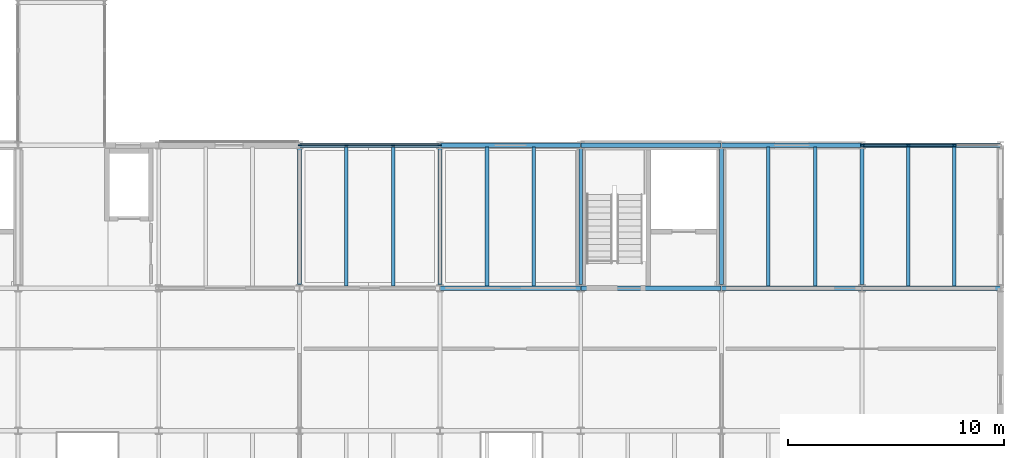
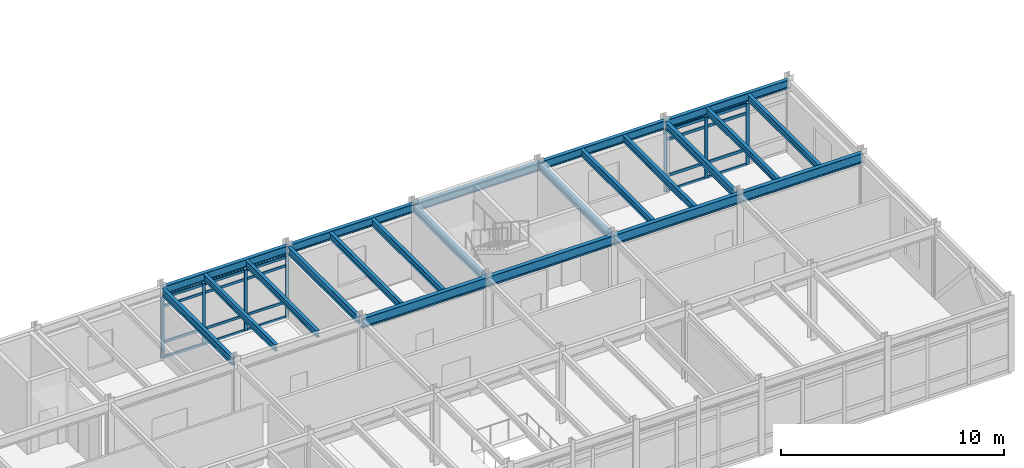
# One storey, part 82 of 144: 27 members, 22 beams, 2 elements without a shape of their own.
"""IFC4 building model written with IfcOpenShell, lengths in metres."""

from ifc_helpers import new_model, si_unit, direction, frame, origin, origin_2d, place, context, subcontext, project, spatial, rectangle, i_section, extrude, material, layer, layer_set, material_profile, profile_set, type_object, element, aggregate, save


model = new_model("IFC4")

# Units and contexts
model_context = context("Model", 3, precision=1e-05, world=origin(), true_north=direction((0.0, 1.0)))
body_context = subcontext(model_context, "Body", "Model", "MODEL_VIEW")
ifc_project = project(units=[si_unit("LENGTHUNIT", "METRE"), si_unit("AREAUNIT", "SQUARE_METRE"), si_unit("VOLUMEUNIT", "CUBIC_METRE"), si_unit("PLANEANGLEUNIT", "RADIAN"), si_unit("MASSUNIT", "GRAM", prefix="KILO")], contexts=[model_context])

# Site, building, storey
site_placement = place(None, origin())
site = spatial("IfcSite", under=ifc_project, at=site_placement, CompositionType="ELEMENT")
building_placement = place(site_placement, origin())
building = spatial("IfcBuilding", under=site, at=building_placement, Name="Trelmorton Wharf Fire Station", CompositionType="ELEMENT")
storey_placement = place(building_placement, frame((0.0, 0.0, 5.39990234375)))
storey = spatial("IfcBuildingStorey", under=building, at=storey_placement, Name="L01", CompositionType="ELEMENT", Elevation=5.39990234375)

# Beams
ifc_material_1 = material(Name="Steel Grade 350", Category="steel")
ifc_material_profile_1 = material_profile(ifc_material_1, i_section(OverallWidth=0.177978515625, OverallDepth=0.406005859375, WebThickness=0.0078125, FlangeThickness=0.0126953125, FilletRadius=0.011474609375, at=origin_2d()), Name="410UB59.7")
ifc_profile_set_1 = profile_set([ifc_material_profile_1], Name="Steel Grade 350")
beam_type_1 = type_object("IfcBeamType", Name="BM_410UB60", PredefinedType="BEAM", material=ifc_profile_set_1)
for number, where, z_axis, x_axis, name in (
    (1, (130.0, 21.159423828125, 3.72705078125), (0.0, 1.0, 0.0), (-1.0, 0.0, 0.0), "BM-L01-0648"),
    (2, (136.5, 21.159423828125, 3.72705078125), (0.0, 1.0, 0.0), (-1.0, 0.0, 0.0), "BM-L01-0654"),
    (3, (143.0, 21.159423828125, 3.72705078125), (0.0, 1.0, 0.0), (-1.0, 0.0, 0.0), "BM-L01-0660"),
    (4, (149.5, 21.159423828125, 3.72705078125), (0.0, 1.0, 0.0), (-1.0, 0.0, 0.0), "BM-L01-0666"),
    (5, (156.0, 21.159423828125, 3.72705078125), (0.0, 1.0, 0.0), (-1.0, 0.0, 0.0), "BM-L01-0672"),
):
    element("IfcBeam", number, at=place(storey_placement, frame(where, z_axis=z_axis, x_axis=x_axis)), inside=storey, type_object=beam_type_1, Name=name, PredefinedType="BEAM", context=body_context, shape_type="SweptSolid", body=[
        extrude(i_section(OverallWidth=0.177978515625, OverallDepth=0.406005859375, WebThickness=0.0078125, FlangeThickness=0.0126953125, FilletRadius=0.011474609375, at=origin_2d()), origin(), (0.0, 0.0, 1.0), 6.281005859375),
    ])
ifc_material_profile_2 = material_profile(ifc_material_1, i_section(OverallWidth=0.208984375, OverallDepth=0.528076171875, WebThickness=0.009521484375, FlangeThickness=0.01318359375, FilletRadius=0.013916015625, at=origin_2d()), Name="530UB82.0")
ifc_profile_set_2 = profile_set([ifc_material_profile_2], Name="Steel Grade 350")
beam_type_2 = type_object("IfcBeamType", Name="BM_530UB82", PredefinedType="BEAM", material=ifc_profile_set_2)
for number, where, z_axis, x_axis, name in (
    (6, (136.505859375, 21.0, 3.666015625), (1.0, 0.0, 0.0), (0.0, 1.0, 0.0), "BM-L01-0448"),
    (7, (143.005859375, 21.0, 3.666015625), (1.0, 0.0, 0.0), (0.0, 1.0, 0.0), "BM-L01-0449"),
    (8, (149.505859375, 21.0, 3.666015625), (1.0, 0.0, 0.0), (0.0, 1.0, 0.0), "BM-L01-0450"),
):
    element("IfcBeam", number, at=place(storey_placement, frame(where, z_axis=z_axis, x_axis=x_axis)), inside=storey, type_object=beam_type_2, Name=name, PredefinedType="BEAM", context=body_context, shape_type="SweptSolid", body=[
        extrude(i_section(OverallWidth=0.208984375, OverallDepth=0.528076171875, WebThickness=0.009521484375, FlangeThickness=0.01318359375, FilletRadius=0.013916015625, at=origin_2d()), origin(), (0.0, 0.0, 1.0), 6.48828125),
    ])
beam_1_placement = place(storey_placement, frame((156.005859375, 21.0, 3.666015625), z_axis=(1.0, 0.0, 0.0), x_axis=(0.0, 1.0, 0.0)))
element("IfcBeam", 9, at=beam_1_placement, inside=storey, type_object=beam_type_2, Name="BM-L01-0451", PredefinedType="BEAM", context=body_context, shape_type="SweptSolid", body=[
    extrude(i_section(OverallWidth=0.208984375, OverallDepth=0.528076171875, WebThickness=0.009521484375, FlangeThickness=0.01318359375, FilletRadius=0.013916015625, at=origin_2d()), origin(), (0.0, 0.0, 1.0), 6.38818359375),
])

# Curtain wall, members
ifc_material_2 = material(Name="Anodised aluminium AW-6063", Category="aluminium")
ifc_layer = layer(ifc_material_2, 0.14990234375)
ifc_layer_set = layer_set([ifc_layer], Name="Anodised aluminium AW-6063")
curtain_wall_type = type_object("IfcCurtainWallType", Name="CW_UNIT_A", PredefinedType="USERDEFINED", material=ifc_layer_set)
curtain_wall_1_placement = place(storey_placement, origin())
curtain_wall_1 = element("IfcCurtainWall", 10, at=curtain_wall_1_placement, inside=storey, type_object=curtain_wall_type, Name="CW-V5-L01-047", ObjectType="UNITISED CURTAIN WALL", PredefinedType="USERDEFINED")
ifc_material_profile_3 = material_profile(ifc_material_2, rectangle(XDim=0.06494140625, YDim=0.159912109375, at=origin_2d()), Name="ALU-65x160")
ifc_profile_set_3 = profile_set([ifc_material_profile_3], Name="Anodised aluminium AW-6063")
member_type_1 = type_object("IfcMemberType", Name="CWM_65x160", PredefinedType="MULLION", material=ifc_profile_set_3)
member_1_placement = place(storey_placement, frame((130.034912109375, 27.60009765625, 0.0), z_axis=(0.0, 0.0, 1.0), x_axis=(0.0, 1.0, 0.0)))
member_1 = element("IfcMember", 11, at=member_1_placement, type_object=member_type_1, Name="CW3 mullion 1", PredefinedType="MULLION", context=body_context, shape_type="SweptSolid", body=[
    extrude(rectangle(XDim=0.06494140625, YDim=0.159912109375, at=origin_2d()), origin(), (0.0, 0.0, 1.0), 3.320068359375),
])
member_2_placement = place(storey_placement, frame((132.168212890625, 27.60009765625, 0.0), z_axis=(0.0, 0.0, 1.0), x_axis=(0.0, 1.0, 0.0)))
member_2 = element("IfcMember", 12, at=member_2_placement, type_object=member_type_1, Name="CW3 mullion 2", PredefinedType="MULLION", context=body_context, shape_type="SweptSolid", body=[
    extrude(rectangle(XDim=0.06494140625, YDim=0.159912109375, at=origin_2d()), origin(), (0.0, 0.0, 1.0), 3.320068359375),
])
member_3_placement = place(storey_placement, frame((134.331787109375, 27.60009765625, 0.0), z_axis=(0.0, 0.0, 1.0), x_axis=(0.0, 1.0, 0.0)))
member_3 = element("IfcMember", 13, at=member_3_placement, type_object=member_type_1, Name="CW3 mullion 3", PredefinedType="MULLION", context=body_context, shape_type="SweptSolid", body=[
    extrude(rectangle(XDim=0.06494140625, YDim=0.159912109375, at=origin_2d()), origin(), (0.0, 0.0, 1.0), 3.320068359375),
])
member_4_placement = place(storey_placement, frame((136.465087890625, 27.60009765625, 0.0), z_axis=(0.0, 0.0, 1.0), x_axis=(0.0, 1.0, 0.0)))
member_4 = element("IfcMember", 14, at=member_4_placement, type_object=member_type_1, Name="CW3 mullion 4", PredefinedType="MULLION", context=body_context, shape_type="SweptSolid", body=[
    extrude(rectangle(XDim=0.06494140625, YDim=0.159912109375, at=origin_2d()), origin(), (0.0, 0.0, 1.0), 3.320068359375),
])

curtain_wall_2_placement = place(storey_placement, origin())
curtain_wall_2 = element("IfcCurtainWall", 15, at=curtain_wall_2_placement, inside=storey, type_object=curtain_wall_type, Name="CW-V5-L01-048", ObjectType="UNITISED CURTAIN WALL", PredefinedType="USERDEFINED")
ifc_material_profile_4 = material_profile(ifc_material_2, rectangle(XDim=0.074951171875, YDim=0.175048828125, at=origin_2d()), Name="ALU-75x175")
ifc_profile_set_4 = profile_set([ifc_material_profile_4], Name="Anodised aluminium AW-6063")
member_type_2 = type_object("IfcMemberType", Name="CWM_75x175", PredefinedType="MULLION", material=ifc_profile_set_4)
member_5_placement = place(storey_placement, frame((156.034912109375, 27.60009765625, 0.0), z_axis=(0.0, 0.0, 1.0), x_axis=(0.0, 1.0, 0.0)))
member_5 = element("IfcMember", 16, at=member_5_placement, type_object=member_type_2, Name="CW3 mullion 1", PredefinedType="MULLION", context=body_context, shape_type="SweptSolid", body=[
    extrude(rectangle(XDim=0.074951171875, YDim=0.175048828125, at=origin_2d()), origin(), (0.0, 0.0, 1.0), 3.320068359375),
])
member_6_placement = place(storey_placement, frame((158.135009765625, 27.60009765625, 0.0), z_axis=(0.0, 0.0, 1.0), x_axis=(0.0, 1.0, 0.0)))
member_6 = element("IfcMember", 17, at=member_6_placement, type_object=member_type_2, Name="CW3 mullion 2", PredefinedType="MULLION", context=body_context, shape_type="SweptSolid", body=[
    extrude(rectangle(XDim=0.074951171875, YDim=0.175048828125, at=origin_2d()), origin(), (0.0, 0.0, 1.0), 3.320068359375),
])
member_7_placement = place(storey_placement, frame((160.264892578125, 27.60009765625, 0.0), z_axis=(0.0, 0.0, 1.0), x_axis=(0.0, 1.0, 0.0)))
member_7 = element("IfcMember", 18, at=member_7_placement, type_object=member_type_2, Name="CW3 mullion 3", PredefinedType="MULLION", context=body_context, shape_type="SweptSolid", body=[
    extrude(rectangle(XDim=0.074951171875, YDim=0.175048828125, at=origin_2d()), origin(), (0.0, 0.0, 1.0), 3.320068359375),
])

# Member
ifc_material_profile_5 = material_profile(ifc_material_2, rectangle(XDim=0.06494140625, YDim=0.139892578125, at=origin_2d()), Name="ALU-65x140")
ifc_profile_set_5 = profile_set([ifc_material_profile_5], Name="Anodised aluminium AW-6063")
member_type_3 = type_object("IfcMemberType", Name="CWT_65x140", PredefinedType="USERDEFINED", material=ifc_profile_set_5)
member_8_placement = place(storey_placement, frame((130.06494140625, 27.60009765625, 0.030029296875), z_axis=(1.0, 0.0, 0.0), x_axis=(0.0, 1.0, 0.0)))
member_8 = element("IfcMember", 19, at=member_8_placement, type_object=member_type_3, Name="CW3 transom 1.1", ObjectType="TRANSOM", PredefinedType="USERDEFINED", context=body_context, shape_type="SweptSolid", body=[
    extrude(rectangle(XDim=0.06494140625, YDim=0.139892578125, at=origin_2d()), origin(), (0.0, 0.0, 1.0), 2.073486328125),
])

member_9_placement = place(storey_placement, frame((130.06494140625, 27.60009765625, 0.85009765625), z_axis=(1.0, 0.0, 0.0), x_axis=(0.0, 1.0, 0.0)))
member_9 = element("IfcMember", 20, at=member_9_placement, type_object=member_type_3, Name="CW3 transom 1.2", ObjectType="TRANSOM", PredefinedType="USERDEFINED", context=body_context, shape_type="SweptSolid", body=[
    extrude(rectangle(XDim=0.06494140625, YDim=0.139892578125, at=origin_2d()), origin(), (0.0, 0.0, 1.0), 2.073486328125),
])

member_10_placement = place(storey_placement, frame((130.06494140625, 27.60009765625, 2.820068359375), z_axis=(1.0, 0.0, 0.0), x_axis=(0.0, 1.0, 0.0)))
member_10 = element("IfcMember", 21, at=member_10_placement, type_object=member_type_3, Name="CW3 transom 1.3", ObjectType="TRANSOM", PredefinedType="USERDEFINED", context=body_context, shape_type="SweptSolid", body=[
    extrude(rectangle(XDim=0.06494140625, YDim=0.139892578125, at=origin_2d()), origin(), (0.0, 0.0, 1.0), 2.073486328125),
])

member_11_placement = place(storey_placement, frame((130.06494140625, 27.60009765625, 3.2900390625), z_axis=(1.0, 0.0, 0.0), x_axis=(0.0, 1.0, 0.0)))
member_11 = element("IfcMember", 22, at=member_11_placement, type_object=member_type_3, Name="CW3 transom 1.4", ObjectType="TRANSOM", PredefinedType="USERDEFINED", context=body_context, shape_type="SweptSolid", body=[
    extrude(rectangle(XDim=0.06494140625, YDim=0.139892578125, at=origin_2d()), origin(), (0.0, 0.0, 1.0), 2.073486328125),
])

member_12_placement = place(storey_placement, frame((132.1982421875, 27.60009765625, 0.030029296875), z_axis=(1.0, 0.0, 0.0), x_axis=(0.0, 1.0, 0.0)))
member_12 = element("IfcMember", 23, at=member_12_placement, type_object=member_type_3, Name="CW3 transom 2.1", ObjectType="TRANSOM", PredefinedType="USERDEFINED", context=body_context, shape_type="SweptSolid", body=[
    extrude(rectangle(XDim=0.06494140625, YDim=0.139892578125, at=origin_2d()), origin(), (0.0, 0.0, 1.0), 2.103515625),
])

member_13_placement = place(storey_placement, frame((132.1982421875, 27.60009765625, 0.85009765625), z_axis=(1.0, 0.0, 0.0), x_axis=(0.0, 1.0, 0.0)))
member_13 = element("IfcMember", 24, at=member_13_placement, type_object=member_type_3, Name="CW3 transom 2.2", ObjectType="TRANSOM", PredefinedType="USERDEFINED", context=body_context, shape_type="SweptSolid", body=[
    extrude(rectangle(XDim=0.06494140625, YDim=0.139892578125, at=origin_2d()), origin(), (0.0, 0.0, 1.0), 2.103515625),
])

member_14_placement = place(storey_placement, frame((132.1982421875, 27.60009765625, 2.820068359375), z_axis=(1.0, 0.0, 0.0), x_axis=(0.0, 1.0, 0.0)))
member_14 = element("IfcMember", 25, at=member_14_placement, type_object=member_type_3, Name="CW3 transom 2.3", ObjectType="TRANSOM", PredefinedType="USERDEFINED", context=body_context, shape_type="SweptSolid", body=[
    extrude(rectangle(XDim=0.06494140625, YDim=0.139892578125, at=origin_2d()), origin(), (0.0, 0.0, 1.0), 2.103515625),
])

member_15_placement = place(storey_placement, frame((132.1982421875, 27.60009765625, 3.2900390625), z_axis=(1.0, 0.0, 0.0), x_axis=(0.0, 1.0, 0.0)))
member_15 = element("IfcMember", 26, at=member_15_placement, type_object=member_type_3, Name="CW3 transom 2.4", ObjectType="TRANSOM", PredefinedType="USERDEFINED", context=body_context, shape_type="SweptSolid", body=[
    extrude(rectangle(XDim=0.06494140625, YDim=0.139892578125, at=origin_2d()), origin(), (0.0, 0.0, 1.0), 2.103515625),
])

member_16_placement = place(storey_placement, frame((134.361572265625, 27.60009765625, 0.030029296875), z_axis=(1.0, 0.0, 0.0), x_axis=(0.0, 1.0, 0.0)))
member_16 = element("IfcMember", 27, at=member_16_placement, type_object=member_type_3, Name="CW3 transom 3.1", ObjectType="TRANSOM", PredefinedType="USERDEFINED", context=body_context, shape_type="SweptSolid", body=[
    extrude(rectangle(XDim=0.06494140625, YDim=0.139892578125, at=origin_2d()), origin(), (0.0, 0.0, 1.0), 2.073486328125),
])

member_17_placement = place(storey_placement, frame((134.361572265625, 27.60009765625, 0.85009765625), z_axis=(1.0, 0.0, 0.0), x_axis=(0.0, 1.0, 0.0)))
member_17 = element("IfcMember", 28, at=member_17_placement, type_object=member_type_3, Name="CW3 transom 3.2", ObjectType="TRANSOM", PredefinedType="USERDEFINED", context=body_context, shape_type="SweptSolid", body=[
    extrude(rectangle(XDim=0.06494140625, YDim=0.139892578125, at=origin_2d()), origin(), (0.0, 0.0, 1.0), 2.073486328125),
])

member_18_placement = place(storey_placement, frame((134.361572265625, 27.60009765625, 2.820068359375), z_axis=(1.0, 0.0, 0.0), x_axis=(0.0, 1.0, 0.0)))
member_18 = element("IfcMember", 29, at=member_18_placement, type_object=member_type_3, Name="CW3 transom 3.3", ObjectType="TRANSOM", PredefinedType="USERDEFINED", context=body_context, shape_type="SweptSolid", body=[
    extrude(rectangle(XDim=0.06494140625, YDim=0.139892578125, at=origin_2d()), origin(), (0.0, 0.0, 1.0), 2.073486328125),
])

member_19_placement = place(storey_placement, frame((134.361572265625, 27.60009765625, 3.2900390625), z_axis=(1.0, 0.0, 0.0), x_axis=(0.0, 1.0, 0.0)))
member_19 = element("IfcMember", 30, at=member_19_placement, type_object=member_type_3, Name="CW3 transom 3.4", ObjectType="TRANSOM", PredefinedType="USERDEFINED", context=body_context, shape_type="SweptSolid", body=[
    extrude(rectangle(XDim=0.06494140625, YDim=0.139892578125, at=origin_2d()), origin(), (0.0, 0.0, 1.0), 2.073486328125),
])

aggregate(curtain_wall_1, [member_1, member_2, member_3, member_4, member_8, member_9, member_10, member_11, member_12, member_13, member_14, member_15, member_16, member_17, member_18, member_19])

ifc_material_profile_6 = material_profile(ifc_material_2, rectangle(XDim=0.074951171875, YDim=0.155029296875, at=origin_2d()), Name="ALU-75x155")
ifc_profile_set_6 = profile_set([ifc_material_profile_6], Name="Anodised aluminium AW-6063")
member_type_4 = type_object("IfcMemberType", Name="CWT_75x155", PredefinedType="USERDEFINED", material=ifc_profile_set_6)
member_20_placement = place(storey_placement, frame((156.06494140625, 27.60009765625, 0.030029296875), z_axis=(1.0, 0.0, 0.0), x_axis=(0.0, 1.0, 0.0)))
member_20 = element("IfcMember", 31, at=member_20_placement, type_object=member_type_4, Name="CW3 transom 1.1", ObjectType="TRANSOM", PredefinedType="USERDEFINED", context=body_context, shape_type="SweptSolid", body=[
    extrude(rectangle(XDim=0.074951171875, YDim=0.155029296875, at=origin_2d()), origin(), (0.0, 0.0, 1.0), 2.0400390625),
])

member_21_placement = place(storey_placement, frame((156.06494140625, 27.60009765625, 0.85009765625), z_axis=(1.0, 0.0, 0.0), x_axis=(0.0, 1.0, 0.0)))
member_21 = element("IfcMember", 32, at=member_21_placement, type_object=member_type_4, Name="CW3 transom 1.2", ObjectType="TRANSOM", PredefinedType="USERDEFINED", context=body_context, shape_type="SweptSolid", body=[
    extrude(rectangle(XDim=0.074951171875, YDim=0.155029296875, at=origin_2d()), origin(), (0.0, 0.0, 1.0), 2.0400390625),
])

member_22_placement = place(storey_placement, frame((156.06494140625, 27.60009765625, 2.820068359375), z_axis=(1.0, 0.0, 0.0), x_axis=(0.0, 1.0, 0.0)))
member_22 = element("IfcMember", 33, at=member_22_placement, type_object=member_type_4, Name="CW3 transom 1.3", ObjectType="TRANSOM", PredefinedType="USERDEFINED", context=body_context, shape_type="SweptSolid", body=[
    extrude(rectangle(XDim=0.074951171875, YDim=0.155029296875, at=origin_2d()), origin(), (0.0, 0.0, 1.0), 2.0400390625),
])

member_23_placement = place(storey_placement, frame((156.06494140625, 27.60009765625, 3.2900390625), z_axis=(1.0, 0.0, 0.0), x_axis=(0.0, 1.0, 0.0)))
member_23 = element("IfcMember", 34, at=member_23_placement, type_object=member_type_4, Name="CW3 transom 1.4", ObjectType="TRANSOM", PredefinedType="USERDEFINED", context=body_context, shape_type="SweptSolid", body=[
    extrude(rectangle(XDim=0.074951171875, YDim=0.155029296875, at=origin_2d()), origin(), (0.0, 0.0, 1.0), 2.0400390625),
])

member_24_placement = place(storey_placement, frame((158.1650390625, 27.60009765625, 0.030029296875), z_axis=(1.0, 0.0, 0.0), x_axis=(0.0, 1.0, 0.0)))
member_24 = element("IfcMember", 35, at=member_24_placement, type_object=member_type_4, Name="CW3 transom 2.1", ObjectType="TRANSOM", PredefinedType="USERDEFINED", context=body_context, shape_type="SweptSolid", body=[
    extrude(rectangle(XDim=0.074951171875, YDim=0.155029296875, at=origin_2d()), origin(), (0.0, 0.0, 1.0), 2.070068359375),
])

member_25_placement = place(storey_placement, frame((158.1650390625, 27.60009765625, 0.85009765625), z_axis=(1.0, 0.0, 0.0), x_axis=(0.0, 1.0, 0.0)))
member_25 = element("IfcMember", 36, at=member_25_placement, type_object=member_type_4, Name="CW3 transom 2.2", ObjectType="TRANSOM", PredefinedType="USERDEFINED", context=body_context, shape_type="SweptSolid", body=[
    extrude(rectangle(XDim=0.074951171875, YDim=0.155029296875, at=origin_2d()), origin(), (0.0, 0.0, 1.0), 2.070068359375),
])

member_26_placement = place(storey_placement, frame((158.1650390625, 27.60009765625, 2.820068359375), z_axis=(1.0, 0.0, 0.0), x_axis=(0.0, 1.0, 0.0)))
member_26 = element("IfcMember", 37, at=member_26_placement, type_object=member_type_4, Name="CW3 transom 2.3", ObjectType="TRANSOM", PredefinedType="USERDEFINED", context=body_context, shape_type="SweptSolid", body=[
    extrude(rectangle(XDim=0.074951171875, YDim=0.155029296875, at=origin_2d()), origin(), (0.0, 0.0, 1.0), 2.070068359375),
])

member_27_placement = place(storey_placement, frame((158.1650390625, 27.60009765625, 3.2900390625), z_axis=(1.0, 0.0, 0.0), x_axis=(0.0, 1.0, 0.0)))
member_27 = element("IfcMember", 38, at=member_27_placement, type_object=member_type_4, Name="CW3 transom 2.4", ObjectType="TRANSOM", PredefinedType="USERDEFINED", context=body_context, shape_type="SweptSolid", body=[
    extrude(rectangle(XDim=0.074951171875, YDim=0.155029296875, at=origin_2d()), origin(), (0.0, 0.0, 1.0), 2.070068359375),
])

aggregate(curtain_wall_2, [member_5, member_6, member_7, member_20, member_21, member_22, member_23, member_24, member_25, member_26, member_27])

# Beams
ifc_material_profile_7 = material_profile(ifc_material_1, i_section(OverallWidth=0.172119140625, OverallDepth=0.35888671875, WebThickness=0.008056640625, FlangeThickness=0.012939453125, FilletRadius=0.011474609375, at=origin_2d()), Name="360UB56.7")
ifc_profile_set_7 = profile_set([ifc_material_profile_7], Name="Steel Grade 350")
beam_type_3 = type_object("IfcBeamType", Name="JS_360UB57", PredefinedType="JOIST", material=ifc_profile_set_7)
for number, where, z_axis, x_axis, name in (
    (39, (132.166748046875, 21.090087890625, 3.75048828125), (0.0, 1.0, 0.0), (-1.0, 0.0, 0.0), "JS-L01-0183"),
    (40, (134.333251953125, 21.090087890625, 3.75048828125), (0.0, 1.0, 0.0), (-1.0, 0.0, 0.0), "JS-L01-0184"),
    (41, (138.666748046875, 21.090087890625, 3.75048828125), (0.0, 1.0, 0.0), (-1.0, 0.0, 0.0), "JS-L01-0193"),
    (42, (140.833251953125, 21.090087890625, 3.75048828125), (0.0, 1.0, 0.0), (-1.0, 0.0, 0.0), "JS-L01-0194"),
    (43, (151.666748046875, 21.090087890625, 3.75048828125), (0.0, 1.0, 0.0), (-1.0, 0.0, 0.0), "JS-L01-0209"),
    (44, (153.833251953125, 21.090087890625, 3.75048828125), (0.0, 1.0, 0.0), (-1.0, 0.0, 0.0), "JS-L01-0210"),
    (45, (158.13330078125, 21.090087890625, 3.75048828125), (0.0, 1.0, 0.0), (-1.0, 0.0, 0.0), "JS-L01-0217"),
    (46, (160.2666015625, 21.090087890625, 3.75048828125), (0.0, 1.0, 0.0), (-1.0, 0.0, 0.0), "JS-L01-0218"),
):
    element("IfcBeam", number, at=place(storey_placement, frame(where, z_axis=z_axis, x_axis=x_axis)), inside=storey, type_object=beam_type_3, Name=name, PredefinedType="JOIST", context=body_context, shape_type="SweptSolid", body=[
        extrude(i_section(OverallWidth=0.172119140625, OverallDepth=0.35888671875, WebThickness=0.008056640625, FlangeThickness=0.012939453125, FilletRadius=0.011474609375, at=origin_2d()), origin(), (0.0, 0.0, 1.0), 6.419921875),
    ])
ifc_material_profile_8 = material_profile(ifc_material_1, i_section(OverallWidth=0.18994140625, OverallDepth=0.45703125, WebThickness=0.009033203125, FlangeThickness=0.014404296875, FilletRadius=0.011474609375, at=origin_2d()), Name="460UB74.6")
ifc_profile_set_8 = profile_set([ifc_material_profile_8], Name="Steel Grade 350")
beam_type_4 = type_object("IfcBeamType", Name="SP_460UB75", PredefinedType="SPANDREL", material=ifc_profile_set_8)
for number, where, z_axis, x_axis, name in (
    (47, (130.005859375, 27.60009765625, 3.70166015625), (1.0, 0.0, 0.0), (0.0, 1.0, 0.0), "BM-L01-0466"),
    (48, (136.505859375, 27.60009765625, 3.70166015625), (1.0, 0.0, 0.0), (0.0, 1.0, 0.0), "BM-L01-0467"),
    (49, (143.005859375, 27.60009765625, 3.70166015625), (1.0, 0.0, 0.0), (0.0, 1.0, 0.0), "BM-L01-0468"),
    (50, (149.505859375, 27.60009765625, 3.70166015625), (1.0, 0.0, 0.0), (0.0, 1.0, 0.0), "BM-L01-0469"),
):
    element("IfcBeam", number, at=place(storey_placement, frame(where, z_axis=z_axis, x_axis=x_axis)), inside=storey, type_object=beam_type_4, Name=name, PredefinedType="SPANDREL", context=body_context, shape_type="SweptSolid", body=[
        extrude(i_section(OverallWidth=0.18994140625, OverallDepth=0.45703125, WebThickness=0.009033203125, FlangeThickness=0.014404296875, FilletRadius=0.011474609375, at=origin_2d()), origin(), (0.0, 0.0, 1.0), 6.48828125),
    ])
beam_2_placement = place(storey_placement, frame((156.005859375, 27.60009765625, 3.70166015625), z_axis=(1.0, 0.0, 0.0), x_axis=(0.0, 1.0, 0.0)))
element("IfcBeam", 51, at=beam_2_placement, inside=storey, type_object=beam_type_4, Name="BM-L01-0470", PredefinedType="SPANDREL", context=body_context, shape_type="SweptSolid", body=[
    extrude(i_section(OverallWidth=0.18994140625, OverallDepth=0.45703125, WebThickness=0.009033203125, FlangeThickness=0.014404296875, FilletRadius=0.011474609375, at=origin_2d()), origin(), (0.0, 0.0, 1.0), 6.38818359375),
])

save(model, "model.ifc")
